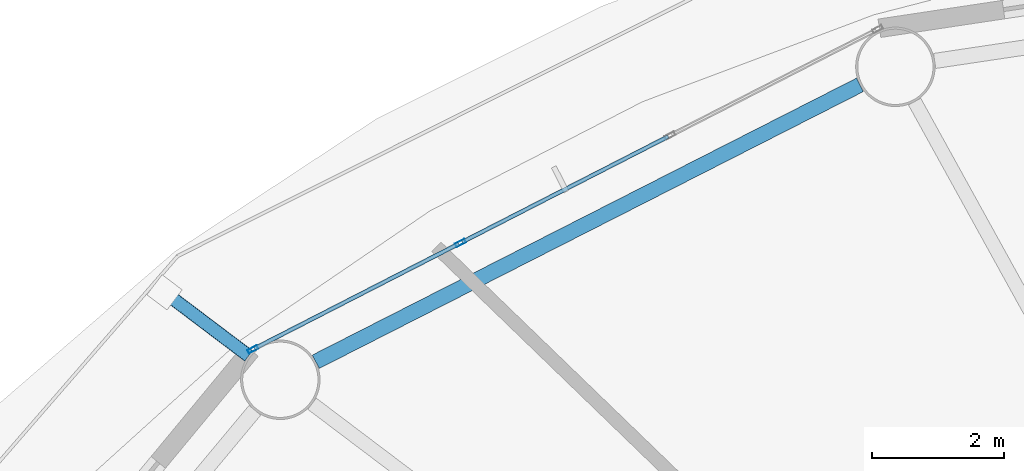
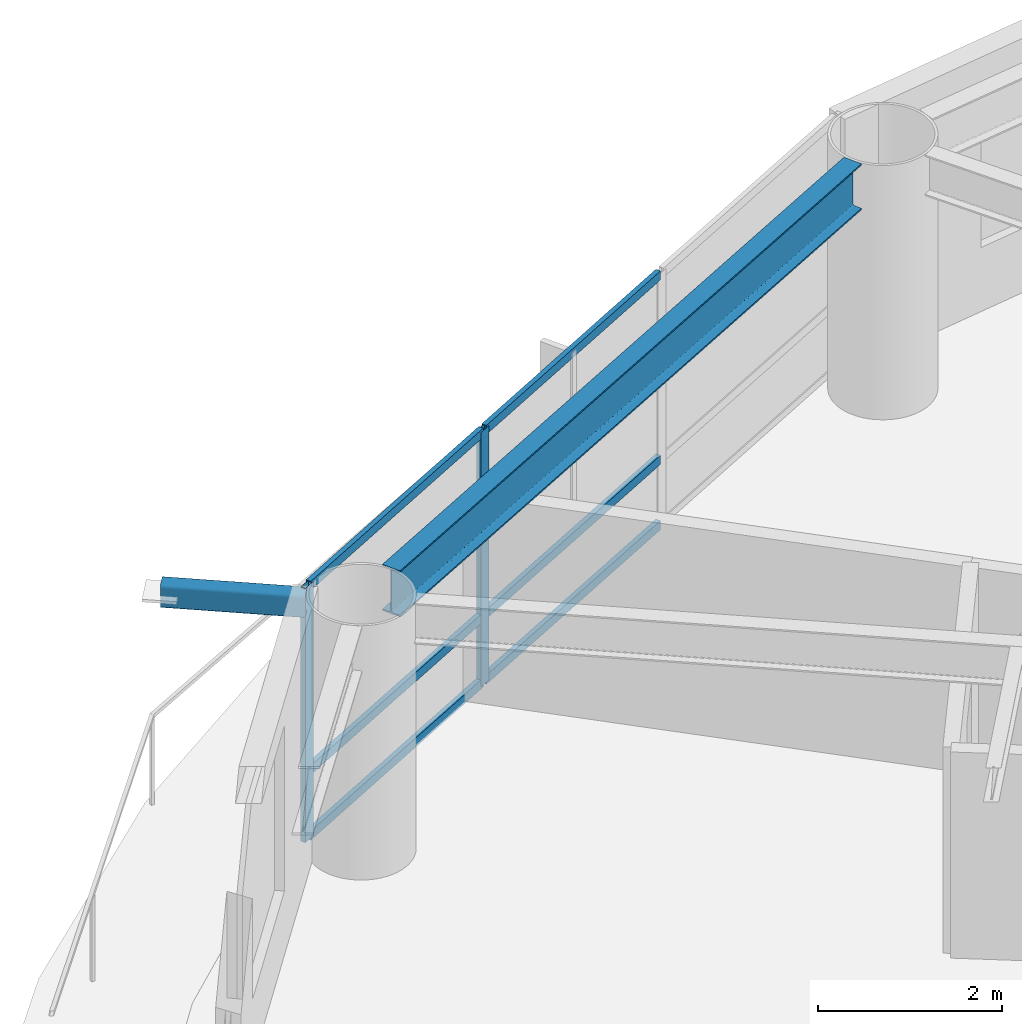
# One storey, part 8 of 24: 9 members, 1 beam, 1 element without a shape of its own.
"""IFC4 building model written with IfcOpenShell, lengths in metres."""

from ifc_helpers import new_model, si_unit, direction, frame, origin, origin_2d, place, context, subcontext, project, spatial, hollow_rectangle, i_section, extrude, material, layer, layer_set, material_profile, profile_set, type_object, element, aggregate, save


model = new_model("IFC4")

# Units and contexts
model_context = context("Model", 3, precision=1e-05, world=origin(), true_north=direction((0.0, 1.0)))
body_context = subcontext(model_context, "Body", "Model", "MODEL_VIEW")
ifc_project = project(units=[si_unit("LENGTHUNIT", "METRE"), si_unit("AREAUNIT", "SQUARE_METRE"), si_unit("VOLUMEUNIT", "CUBIC_METRE"), si_unit("PLANEANGLEUNIT", "RADIAN"), si_unit("MASSUNIT", "GRAM", prefix="KILO")], contexts=[model_context])

# Site, building, storey
site_placement = place(None, origin())
site = spatial("IfcSite", under=ifc_project, at=site_placement, CompositionType="ELEMENT")
building_placement = place(site_placement, origin())
building = spatial("IfcBuilding", under=site, at=building_placement, Name="Sarneth Arch Tower", CompositionType="ELEMENT")
storey_placement = place(building_placement, frame((0.0, 0.0, 102.0)))
storey = spatial("IfcBuildingStorey", under=building, at=storey_placement, Name="L25", CompositionType="ELEMENT", Elevation=102.0)

# Beam
ifc_material_1 = material(Name="Steel S355", Category="steel")
ifc_material_profile_1 = material_profile(ifc_material_1, i_section(OverallWidth=0.22900390625, OverallDepth=0.612060546875, WebThickness=0.011962890625, FlangeThickness=0.01953125, FilletRadius=0.01904296875, at=origin_2d()), Name="W610x125")
ifc_profile_set_1 = profile_set([ifc_material_profile_1], Name="Steel S355")
beam_type = type_object("IfcBeamType", Name="BM-SPAN-610C", PredefinedType="SPANDREL", material=ifc_profile_set_1)
beam_placement = place(storey_placement, frame((36.35498046875, 61.868408203125, 3.073974609375), z_axis=(-0.891259443414, -0.453493775619, 0.0), x_axis=(0.453493775619, -0.891259443414, 0.0)))
element("IfcBeam", 1, at=beam_placement, inside=storey, type_object=beam_type, Name="L25 Perimeter spandrel beam 06", PredefinedType="SPANDREL", context=body_context, shape_type="SweptSolid", body=[
    extrude(i_section(OverallWidth=0.22900390625, OverallDepth=0.612060546875, WebThickness=0.011962890625, FlangeThickness=0.01953125, FilletRadius=0.01904296875, at=origin_2d()), origin(), (0.0, 0.0, 1.0), 9.220458984375),
])

# Curtain wall, members
ifc_material_2 = material(Name="Anodised aluminium Type AA25 and solar-control low-e laminated IGU", Category="aluminium")
ifc_layer = layer(ifc_material_2, 0.159912109375)
ifc_layer_set = layer_set([ifc_layer], Name="Anodised aluminium Type AA25 and solar-control low-e laminated IGU")
curtain_wall_type = type_object("IfcCurtainWallType", Name="CW-HOTEL-MID", PredefinedType="NOTDEFINED", material=ifc_layer_set)
curtain_wall_placement = place(storey_placement, origin())
curtain_wall = element("IfcCurtainWall", 2, at=curtain_wall_placement, inside=storey, type_object=curtain_wall_type, Name="L25 Unitised curtain wall facet 06", PredefinedType="NOTDEFINED")
ifc_material_3 = material(Name="Anodised Aluminium 6063-T6", Category="aluminium")
ifc_material_profile_2 = material_profile(ifc_material_3, hollow_rectangle(XDim=0.06005859375, YDim=0.159912109375, WallThickness=0.00390625, at=origin_2d()), Name="AL-MULL-160x60x4")
ifc_profile_set_2 = profile_set([ifc_material_profile_2], Name="Anodised Aluminium 6063-T6")
member_type_1 = type_object("IfcMemberType", Name="CW-MULLION", PredefinedType="MULLION", material=ifc_profile_set_2)
member_1_placement = place(storey_placement, frame((30.322998046875, 59.481201171875, 0.0), z_axis=(0.0, 0.0, 1.0), x_axis=(0.456031365356, -0.889963703649, 0.0)))
member_1 = element("IfcMember", 3, at=member_1_placement, type_object=member_type_1, Name="CW-SYS-4 mullion 3", PredefinedType="MULLION", context=body_context, shape_type="SweptSolid", body=[
    extrude(hollow_rectangle(XDim=0.06005859375, YDim=0.159912109375, WallThickness=0.00390625, at=origin_2d()), origin(), (0.0, 0.0, 1.0), 3.3798828125),
])
member_2_placement = place(storey_placement, frame((27.186767578125, 57.8740234375, 0.0), z_axis=(0.0, 0.0, 1.0), x_axis=(0.456031365356, -0.889963703649, 0.0)))
member_2 = element("IfcMember", 4, at=member_2_placement, type_object=member_type_1, Name="CW-SYS-4 mullion 4", PredefinedType="MULLION", context=body_context, shape_type="SweptSolid", body=[
    extrude(hollow_rectangle(XDim=0.06005859375, YDim=0.159912109375, WallThickness=0.00390625, at=origin_2d()), origin(), (0.0, 0.0, 1.0), 3.3798828125),
])
ifc_material_4 = material(Name="Anodised Aluminium 6063-T6", Category="aluminium")
ifc_material_profile_3 = material_profile(ifc_material_4, hollow_rectangle(XDim=0.06005859375, YDim=0.1201171875, WallThickness=0.00390625, at=origin_2d()), Name="AL-TRAN-120x60x4")
ifc_profile_set_3 = profile_set([ifc_material_profile_3], Name="Anodised Aluminium 6063-T6")
member_type_2 = type_object("IfcMemberType", Name="CW-TRANSOM", PredefinedType="USERDEFINED", material=ifc_profile_set_3)
member_3_placement = place(storey_placement, frame((33.459228515625, 61.088134765625, 0.030029296875), z_axis=(-0.889981813856, -0.455996020823, 0.0), x_axis=(0.455996020823, -0.889981813856, 0.0)))
member_3 = element("IfcMember", 5, at=member_3_placement, type_object=member_type_2, Name="CW-SYS-4 transom 2.1", ObjectType="TRANSOM", PredefinedType="USERDEFINED", context=body_context, shape_type="SweptSolid", body=[
    extrude(hollow_rectangle(XDim=0.06005859375, YDim=0.1201171875, WallThickness=0.00390625, at=origin_2d()), origin(), (0.0, 0.0, 1.0), 3.494140625),
])
member_4_placement = place(storey_placement, frame((33.459228515625, 61.088134765625, 0.89990234375), z_axis=(-0.889981813856, -0.455996020823, 0.0), x_axis=(0.455996020823, -0.889981813856, 0.0)))
member_4 = element("IfcMember", 6, at=member_4_placement, type_object=member_type_2, Name="CW-SYS-4 transom 2.2", ObjectType="TRANSOM", PredefinedType="USERDEFINED", context=body_context, shape_type="SweptSolid", body=[
    extrude(hollow_rectangle(XDim=0.06005859375, YDim=0.1201171875, WallThickness=0.00390625, at=origin_2d()), origin(), (0.0, 0.0, 1.0), 3.494140625),
])
member_5_placement = place(storey_placement, frame((33.459228515625, 61.088134765625, 3.35009765625), z_axis=(-0.889981813856, -0.455996020823, 0.0), x_axis=(0.455996020823, -0.889981813856, 0.0)))
member_5 = element("IfcMember", 7, at=member_5_placement, type_object=member_type_2, Name="CW-SYS-4 transom 2.3", ObjectType="TRANSOM", PredefinedType="USERDEFINED", context=body_context, shape_type="SweptSolid", body=[
    extrude(hollow_rectangle(XDim=0.06005859375, YDim=0.1201171875, WallThickness=0.00390625, at=origin_2d()), origin(), (0.0, 0.0, 1.0), 3.494140625),
])
member_6_placement = place(storey_placement, frame((30.296142578125, 59.467529296875, 0.030029296875), z_axis=(-0.889942905184, -0.456071952122, 0.0), x_axis=(0.456071952122, -0.889942905184, 0.0)))
member_6 = element("IfcMember", 8, at=member_6_placement, type_object=member_type_2, Name="CW-SYS-4 transom 3.1", ObjectType="TRANSOM", PredefinedType="USERDEFINED", context=body_context, shape_type="SweptSolid", body=[
    extrude(hollow_rectangle(XDim=0.06005859375, YDim=0.1201171875, WallThickness=0.00390625, at=origin_2d()), origin(), (0.0, 0.0, 1.0), 3.464111328125),
])
member_7_placement = place(storey_placement, frame((30.296142578125, 59.467529296875, 0.89990234375), z_axis=(-0.889942905184, -0.456071952122, 0.0), x_axis=(0.456071952122, -0.889942905184, 0.0)))
member_7 = element("IfcMember", 9, at=member_7_placement, type_object=member_type_2, Name="CW-SYS-4 transom 3.2", ObjectType="TRANSOM", PredefinedType="USERDEFINED", context=body_context, shape_type="SweptSolid", body=[
    extrude(hollow_rectangle(XDim=0.06005859375, YDim=0.1201171875, WallThickness=0.00390625, at=origin_2d()), origin(), (0.0, 0.0, 1.0), 3.464111328125),
])
member_8_placement = place(storey_placement, frame((30.296142578125, 59.467529296875, 3.35009765625), z_axis=(-0.889942905184, -0.456071952122, 0.0), x_axis=(0.456071952122, -0.889942905184, 0.0)))
member_8 = element("IfcMember", 10, at=member_8_placement, type_object=member_type_2, Name="CW-SYS-4 transom 3.3", ObjectType="TRANSOM", PredefinedType="USERDEFINED", context=body_context, shape_type="SweptSolid", body=[
    extrude(hollow_rectangle(XDim=0.06005859375, YDim=0.1201171875, WallThickness=0.00390625, at=origin_2d()), origin(), (0.0, 0.0, 1.0), 3.464111328125),
])
aggregate(curtain_wall, [member_1, member_2, member_3, member_4, member_5, member_6, member_7, member_8])

# Member
ifc_material_5 = material(Name="Steel S355", Category="steel")
ifc_material_profile_4 = material_profile(ifc_material_5, hollow_rectangle(XDim=0.199951171875, YDim=0.300048828125, WallThickness=0.012451171875, InnerFilletRadius=0.018798828125, OuterFilletRadius=0.03125, at=origin_2d()), Name="RHS300x200x12.5")
ifc_profile_set_4 = profile_set([ifc_material_profile_4], Name="Steel S355")
member_type_3 = type_object("IfcMemberType", Name="MEM-CANT-STRUT", PredefinedType="STRUT", material=ifc_profile_set_4)
member_9_placement = place(storey_placement, frame((27.123779296875, 57.776611328125, 3.219970703125), z_axis=(-0.797859123957, 0.602843941928, 0.0), x_axis=(-0.602843941928, -0.797859123957, 0.0)))
element("IfcMember", 11, at=member_9_placement, inside=storey, type_object=member_type_3, Name="L25 Balcony cantilever bracket 07", PredefinedType="STRUT", context=body_context, shape_type="SweptSolid", body=[
    extrude(hollow_rectangle(XDim=0.199951171875, YDim=0.300048828125, WallThickness=0.012451171875, InnerFilletRadius=0.018798828125, OuterFilletRadius=0.03125, at=origin_2d()), origin(), (0.0, 0.0, 1.0), 1.591064453125),
])

save(model, "model.ifc")
